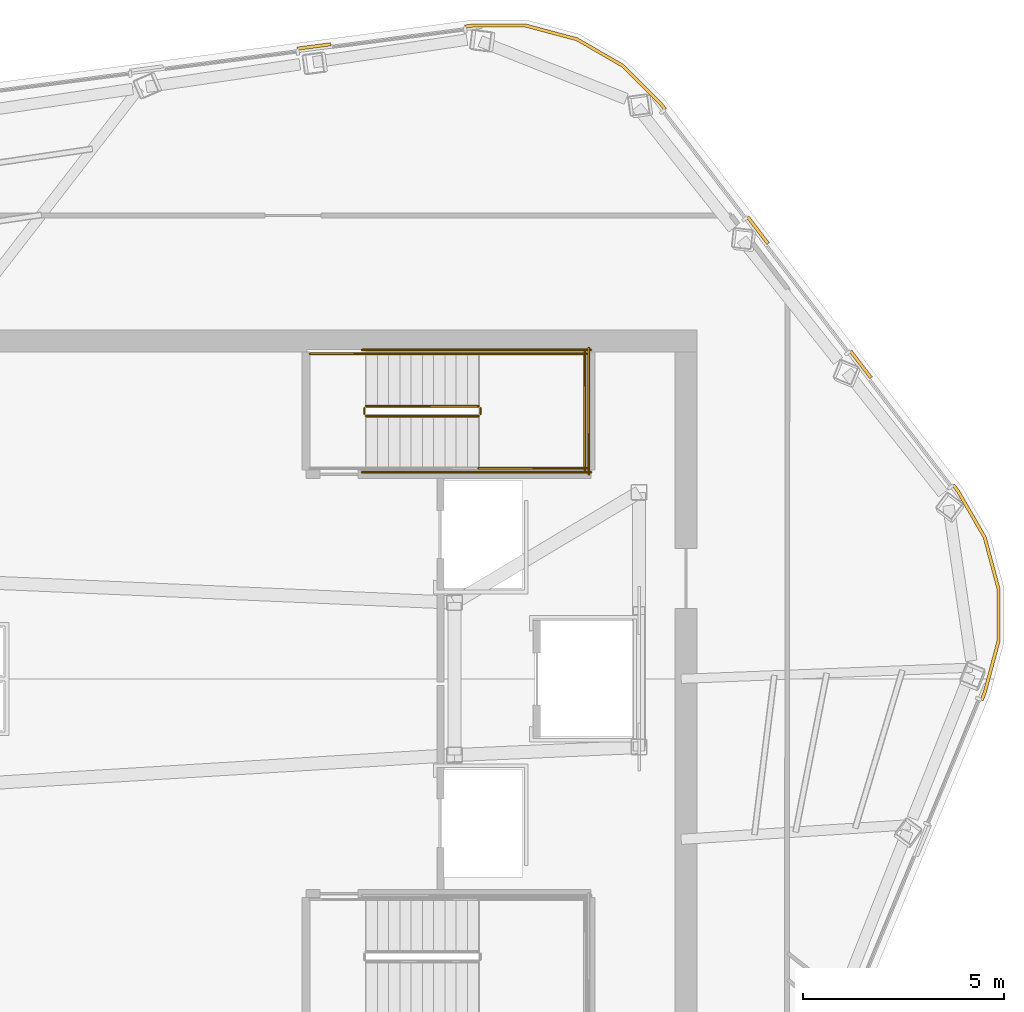
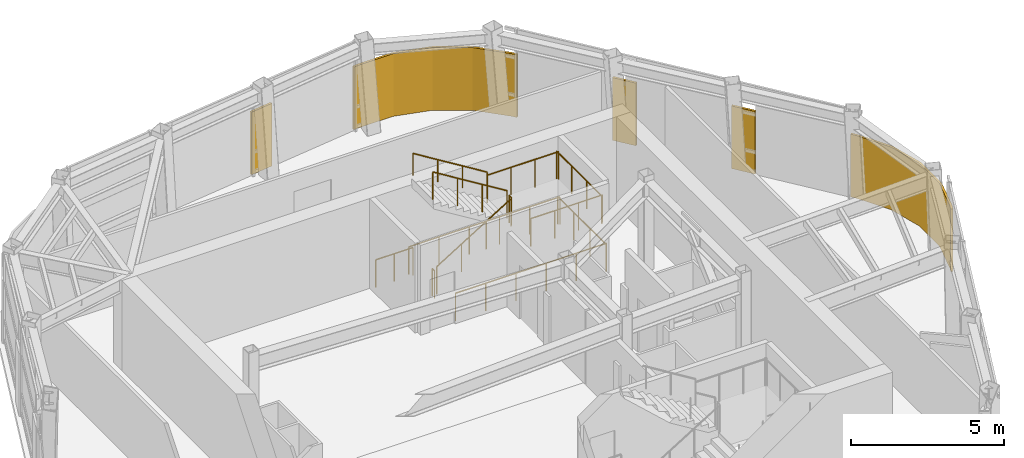
# One storey, part 9 of 9: 12 railings, 5 coverings.
"""IFC4 building model written with IfcOpenShell, lengths in metres."""

from ifc_helpers import new_model, si_unit, direction, frame, origin, origin_2d, place, context, subcontext, project, spatial, polyline, circle, outline, extrude, material, layer, layer_set, type_object, element, save


model = new_model("IFC4")

# Units and contexts
model_context = context("Model", 3, precision=1e-05, world=origin(), true_north=direction((0.0, 1.0)))
body_context = subcontext(model_context, "Body", "Model", "MODEL_VIEW")
ifc_project = project(units=[si_unit("LENGTHUNIT", "METRE"), si_unit("AREAUNIT", "SQUARE_METRE"), si_unit("VOLUMEUNIT", "CUBIC_METRE"), si_unit("PLANEANGLEUNIT", "RADIAN"), si_unit("MASSUNIT", "GRAM", prefix="KILO")], contexts=[model_context])

# Site, building, storey
site_placement = place(None, origin())
site = spatial("IfcSite", under=ifc_project, at=site_placement, CompositionType="ELEMENT")
building_placement = place(site_placement, origin())
building = spatial("IfcBuilding", under=site, at=building_placement, Name="Valkerne Bourse Tower", CompositionType="ELEMENT")
storey_placement = place(building_placement, frame((0.0, 0.0, 315.39990234375)))
storey = spatial("IfcBuildingStorey", under=building, at=storey_placement, Name="L80", CompositionType="ELEMENT", Elevation=315.39990234375)

# Coverings
ifc_material_1 = material(Name="Bronze Anodised Aluminium AA 6063-T6", Category="aluminium")
ifc_layer = layer(ifc_material_1, 0.06005859375)
ifc_layer_set = layer_set([ifc_layer], Name="Bronze Anodised Aluminium AA 6063-T6")
covering_type = type_object("IfcCoveringType", Name="COV-CRN-ALUM", PredefinedType="CLADDING", material=ifc_layer_set)
covering_1_placement = place(storey_placement, origin())
element("IfcCovering", 1, at=covering_1_placement, inside=storey, type_object=covering_type, Name="L80 Wind-Shaped Corner Aluminium Cladding 01", PredefinedType="CLADDING", context=body_context, shape_type="SweptSolid", body=[
    extrude(outline(polyline([(63.602294921875, 30.543212890625), (63.94677734375, 29.25732421875), (63.94677734375, 27.92626953125), (63.6005859375, 26.634033203125), (63.526611328125, 26.455810546875), (63.45263671875, 26.486328125), (63.524658203125, 26.659912109375), (63.86669921875, 27.936767578125), (63.86669921875, 29.246826171875), (63.527587890625, 30.51220703125), (62.86669921875, 31.6572265625), (62.752197265625, 31.806396484375), (62.815673828125, 31.85498046875), (62.933349609375, 31.70166015625), (63.602294921875, 30.543212890625)])), origin(), (0.0, 0.0, 1.0), 2.5),
])
covering_2_placement = place(storey_placement, origin())
element("IfcCovering", 2, at=covering_2_placement, inside=storey, type_object=covering_type, Name="L80 Wind-Shaped Corner Aluminium Cladding 15", PredefinedType="CLADDING", context=body_context, shape_type="SweptSolid", body=[
    extrude(outline(polyline([(47.260009765625, 42.857421875), (47.2705078125, 42.778076171875), (46.437744140625, 42.66845703125), (46.42724609375, 42.747802734375), (47.260009765625, 42.857421875)])), origin(), (0.0, 0.0, 1.0), 2.5),
])
covering_3_placement = place(storey_placement, origin())
element("IfcCovering", 3, at=covering_3_placement, inside=storey, type_object=covering_type, Name="L80 Wind-Shaped Corner Aluminium Cladding 16", PredefinedType="CLADDING", context=body_context, shape_type="SweptSolid", body=[
    extrude(outline(polyline([(50.794921875, 43.32275390625), (52.132568359375, 43.32275390625), (53.41845703125, 42.978271484375), (54.5712890625, 42.312744140625), (55.51708984375, 41.36669921875), (55.634765625, 41.21337890625), (55.5712890625, 41.164794921875), (55.456787109375, 41.31396484375), (54.522216796875, 42.248779296875), (53.387451171875, 42.90380859375), (52.1220703125, 43.24267578125), (50.800048828125, 43.24267578125), (50.61376953125, 43.21826171875), (50.603271484375, 43.297607421875), (50.794921875, 43.32275390625)])), origin(), (0.0, 0.0, 1.0), 2.5),
])
covering_4_placement = place(storey_placement, origin())
element("IfcCovering", 4, at=covering_4_placement, inside=storey, type_object=covering_type, Name="L80 Wind-Shaped Corner Aluminium Cladding 17", PredefinedType="CLADDING", context=body_context, shape_type="SweptSolid", body=[
    extrude(outline(polyline([(58.198974609375, 37.871826171875), (58.135498046875, 37.8232421875), (57.6240234375, 38.489501953125), (57.6875, 38.5380859375), (58.198974609375, 37.871826171875)])), origin(), (0.0, 0.0, 1.0), 2.5),
])
covering_5_placement = place(storey_placement, origin())
element("IfcCovering", 5, at=covering_5_placement, inside=storey, type_object=covering_type, Name="L80 Wind-Shaped Corner Aluminium Cladding 18", PredefinedType="CLADDING", context=body_context, shape_type="SweptSolid", body=[
    extrude(outline(polyline([(60.762939453125, 34.5302734375), (60.699462890625, 34.481689453125), (60.188232421875, 35.14794921875), (60.251708984375, 35.196533203125), (60.762939453125, 34.5302734375)])), origin(), (0.0, 0.0, 1.0), 2.5),
])

# Railings
ifc_material_2 = material(Name="Galvanised Painted Steel", Category="steel")
railing_type_1 = type_object("IfcRailingType", Name="RLG-ST-GUARD-1120", PredefinedType="GUARDRAIL", material=ifc_material_2)
railing_1_placement = place(storey_placement, frame((48.14990234375, 33.550048828125, 0.1728515625)))
element("IfcRailing", 6, at=railing_1_placement, inside=storey, type_object=railing_type_1, Name="L80 ST-2 stair guard 1", PredefinedType="GUARDRAIL", context=body_context, shape_type="SweptSolid", body=[
    extrude(circle(Radius=0.02392578125, at=origin_2d()), frame((0.0, 0.0, 1.09619140625), z_axis=(0.851089632645, 0.0, 0.525020415988), x_axis=(0.0, 1.0, 0.0)), (0.0, 0.0, 1.0), 3.2900390625),
    extrude(circle(Radius=0.02099609375, at=origin_2d()), origin(), (0.0, 0.0, 1.0), 1.072021484375),
    extrude(circle(Radius=0.02099609375, at=origin_2d()), frame((0.933349609375, 0.0, 0.57568359375)), (0.0, 0.0, 1.0), 1.072021484375),
    extrude(circle(Radius=0.02099609375, at=origin_2d()), frame((1.86669921875, 0.0, 1.151611328125)), (0.0, 0.0, 1.0), 1.072021484375),
    extrude(circle(Radius=0.02099609375, at=origin_2d()), frame((2.800048828125, 0.0, 1.727294921875)), (0.0, 0.0, 1.0), 1.072021484375),
])
railing_2_placement = place(storey_placement, frame((51.0, 33.60009765625, 1.900146484375)))
element("IfcRailing", 7, at=railing_2_placement, inside=storey, type_object=railing_type_1, Name="L80 ST-2 stair guard 2", PredefinedType="GUARDRAIL", context=body_context, shape_type="SweptSolid", body=[
    extrude(circle(Radius=0.02392578125, at=origin_2d()), frame((0.0, 0.0, 1.09619140625), z_axis=(0.0, 1.0, 0.0), x_axis=(-1.0, 0.0, 0.0)), (0.0, 0.0, 1.0), 0.14990234375),
    extrude(circle(Radius=0.02099609375, at=origin_2d()), origin(), (0.0, 0.0, 1.0), 1.072021484375),
    extrude(circle(Radius=0.02099609375, at=origin_2d()), frame((0.0, 0.14990234375, 0.0)), (0.0, 0.0, 1.0), 1.072021484375),
])
for number, where, name in (
    (8, (50.949951171875, 32.25, 1.900146484375), "L80 ST-2 stair guard 3"),
    (9, (50.949951171875, 35.10009765625, 1.900146484375), "L80 ST-2 stair guard 4"),
):
    element("IfcRailing", number, at=place(storey_placement, frame(where)), inside=storey, type_object=railing_type_1, Name=name, PredefinedType="GUARDRAIL", context=body_context, shape_type="SweptSolid", body=[
        extrude(circle(Radius=0.02392578125, at=origin_2d()), frame((0.0, 0.0, 1.09619140625), z_axis=(1.0, 0.0, 0.0), x_axis=(0.0, 1.0, 0.0)), (0.0, 0.0, 1.0), 2.699951171875),
        extrude(circle(Radius=0.02099609375, at=origin_2d()), origin(), (0.0, 0.0, 1.0), 1.072021484375),
        extrude(circle(Radius=0.02099609375, at=origin_2d()), frame((0.89990234375, 0.0, 0.0)), (0.0, 0.0, 1.0), 1.072021484375),
        extrude(circle(Radius=0.02099609375, at=origin_2d()), frame((1.800048828125, 0.0, 0.0)), (0.0, 0.0, 1.0), 1.072021484375),
        extrude(circle(Radius=0.02099609375, at=origin_2d()), frame((2.699951171875, 0.0, 0.0)), (0.0, 0.0, 1.0), 1.072021484375),
    ])
railing_3_placement = place(storey_placement, frame((53.60009765625, 32.199951171875, 1.900146484375)))
element("IfcRailing", 10, at=railing_3_placement, inside=storey, type_object=railing_type_1, Name="L80 ST-2 stair guard 5", PredefinedType="GUARDRAIL", context=body_context, shape_type="SweptSolid", body=[
    extrude(circle(Radius=0.02392578125, at=origin_2d()), frame((0.0, 0.0, 1.09619140625), z_axis=(0.0, 1.0, 0.0), x_axis=(-1.0, 0.0, 0.0)), (0.0, 0.0, 1.0), 2.949951171875),
    extrude(circle(Radius=0.02099609375, at=origin_2d()), origin(), (0.0, 0.0, 1.0), 1.072021484375),
    extrude(circle(Radius=0.02099609375, at=origin_2d()), frame((0.0, 0.9833984375, 0.0)), (0.0, 0.0, 1.0), 1.072021484375),
    extrude(circle(Radius=0.02099609375, at=origin_2d()), frame((0.0, 1.966552734375, 0.0)), (0.0, 0.0, 1.0), 1.072021484375),
    extrude(circle(Radius=0.02099609375, at=origin_2d()), frame((0.0, 2.949951171875, 0.0)), (0.0, 0.0, 1.0), 1.072021484375),
])
railing_4_placement = place(storey_placement, frame((50.949951171875, 33.800048828125, 2.07275390625)))
element("IfcRailing", 11, at=railing_4_placement, inside=storey, type_object=railing_type_1, Name="L80 ST-2 stair guard 6", PredefinedType="GUARDRAIL", context=body_context, shape_type="SweptSolid", body=[
    extrude(circle(Radius=0.02392578125, at=origin_2d()), frame((0.0, 0.0, 1.09619140625), z_axis=(-0.851089632645, 0.0, 0.525020415988), x_axis=(0.0, -1.0, 0.0)), (0.0, 0.0, 1.0), 3.2900390625),
    extrude(circle(Radius=0.02099609375, at=origin_2d()), origin(), (0.0, 0.0, 1.0), 1.072021484375),
    extrude(circle(Radius=0.02099609375, at=origin_2d()), frame((-0.933349609375, 0.0, 0.57568359375)), (0.0, 0.0, 1.0), 1.072021484375),
    extrude(circle(Radius=0.02099609375, at=origin_2d()), frame((-1.86669921875, 0.0, 1.151611328125)), (0.0, 0.0, 1.0), 1.072021484375),
    extrude(circle(Radius=0.02099609375, at=origin_2d()), frame((-2.800048828125, 0.0, 1.727294921875)), (0.0, 0.0, 1.0), 1.072021484375),
])
railing_5_placement = place(storey_placement, frame((48.10009765625, 33.60009765625, 0.0)))
element("IfcRailing", 12, at=railing_5_placement, inside=storey, type_object=railing_type_1, Name="L80 ST-2 stair guard 7", PredefinedType="GUARDRAIL", context=body_context, shape_type="SweptSolid", body=[
    extrude(circle(Radius=0.02392578125, at=origin_2d()), frame((0.0, 0.0, 1.09619140625), z_axis=(0.0, 1.0, 0.0), x_axis=(-1.0, 0.0, 0.0)), (0.0, 0.0, 1.0), 0.14990234375),
    extrude(circle(Radius=0.02099609375, at=origin_2d()), origin(), (0.0, 0.0, 1.0), 1.072021484375),
    extrude(circle(Radius=0.02099609375, at=origin_2d()), frame((0.0, 0.14990234375, 0.0)), (0.0, 0.0, 1.0), 1.072021484375),
])
railing_6_placement = place(storey_placement, frame((46.75, 35.10009765625, 0.0)))
element("IfcRailing", 13, at=railing_6_placement, inside=storey, type_object=railing_type_1, Name="L80 ST-2 stair guard 9", PredefinedType="GUARDRAIL", context=body_context, shape_type="SweptSolid", body=[
    extrude(circle(Radius=0.02392578125, at=origin_2d()), frame((0.0, 0.0, 1.09619140625), z_axis=(1.0, 0.0, 0.0), x_axis=(0.0, 1.0, 0.0)), (0.0, 0.0, 1.0), 1.39990234375),
    extrude(circle(Radius=0.02099609375, at=origin_2d()), origin(), (0.0, 0.0, 1.0), 1.072021484375),
    extrude(circle(Radius=0.02099609375, at=origin_2d()), frame((0.699951171875, 0.0, 0.0)), (0.0, 0.0, 1.0), 1.072021484375),
    extrude(circle(Radius=0.02099609375, at=origin_2d()), frame((1.39990234375, 0.0, 0.0)), (0.0, 0.0, 1.0), 1.072021484375),
])
for number, where, name in (
    (14, (48.050048828125, 32.14990234375, 0.0), "L80 ST-2 stair guard 10"),
    (15, (48.050048828125, 35.199951171875, 0.0), "L80 ST-2 stair guard 11"),
):
    element("IfcRailing", number, at=place(storey_placement, frame(where)), inside=storey, type_object=railing_type_1, Name=name, PredefinedType="GUARDRAIL", context=body_context, shape_type="SweptSolid", body=[
        extrude(circle(Radius=0.02392578125, at=origin_2d()), frame((0.0, 0.0, 1.09619140625), z_axis=(1.0, 0.0, 0.0), x_axis=(0.0, 1.0, 0.0)), (0.0, 0.0, 1.0), 5.699951171875),
        extrude(circle(Radius=0.02099609375, at=origin_2d()), origin(), (0.0, 0.0, 1.0), 1.072021484375),
        extrude(circle(Radius=0.02099609375, at=origin_2d()), frame((1.139892578125, 0.0, 0.0)), (0.0, 0.0, 1.0), 1.072021484375),
        extrude(circle(Radius=0.02099609375, at=origin_2d()), frame((2.280029296875, 0.0, 0.0)), (0.0, 0.0, 1.0), 1.072021484375),
        extrude(circle(Radius=0.02099609375, at=origin_2d()), frame((3.419921875, 0.0, 0.0)), (0.0, 0.0, 1.0), 1.072021484375),
        extrude(circle(Radius=0.02099609375, at=origin_2d()), frame((4.56005859375, 0.0, 0.0)), (0.0, 0.0, 1.0), 1.072021484375),
        extrude(circle(Radius=0.02099609375, at=origin_2d()), frame((5.699951171875, 0.0, 0.0)), (0.0, 0.0, 1.0), 1.072021484375),
    ])
railing_7_placement = place(storey_placement, frame((53.699951171875, 32.10009765625, 0.0)))
element("IfcRailing", 16, at=railing_7_placement, inside=storey, type_object=railing_type_1, Name="L80 ST-2 stair guard 12", PredefinedType="GUARDRAIL", context=body_context, shape_type="SweptSolid", body=[
    extrude(circle(Radius=0.02392578125, at=origin_2d()), frame((0.0, 0.0, 1.09619140625), z_axis=(0.0, 1.0, 0.0), x_axis=(-1.0, 0.0, 0.0)), (0.0, 0.0, 1.0), 3.14990234375),
    extrude(circle(Radius=0.02099609375, at=origin_2d()), origin(), (0.0, 0.0, 1.0), 1.072021484375),
    extrude(circle(Radius=0.02099609375, at=origin_2d()), frame((0.0, 1.050048828125, 0.0)), (0.0, 0.0, 1.0), 1.072021484375),
    extrude(circle(Radius=0.02099609375, at=origin_2d()), frame((0.0, 2.099853515625, 0.0)), (0.0, 0.0, 1.0), 1.072021484375),
    extrude(circle(Radius=0.02099609375, at=origin_2d()), frame((0.0, 3.14990234375, 0.0)), (0.0, 0.0, 1.0), 1.072021484375),
])
ifc_material_3 = material(Name="Stainless Steel AISI 316", Category="steel")
railing_type_2 = type_object("IfcRailingType", Name="RLG-ST-HANDRAIL-900", PredefinedType="HANDRAIL", material=ifc_material_3)
railing_8_placement = place(storey_placement, frame((50.949951171875, 35.10009765625, 2.24560546875)))
element("IfcRailing", 17, at=railing_8_placement, inside=storey, type_object=railing_type_2, Name="L80 ST-2 stair handrail 2", PredefinedType="HANDRAIL", context=body_context, shape_type="SweptSolid", body=[
    extrude(circle(Radius=0.02392578125, at=origin_2d()), frame((0.0, 0.0, 0.8759765625), z_axis=(-0.851089632645, 0.0, 0.525020415988), x_axis=(0.0, -1.0, 0.0)), (0.0, 0.0, 1.0), 3.2900390625),
    extrude(circle(Radius=0.02099609375, at=origin_2d()), origin(), (0.0, 0.0, 1.0), 0.851806640625),
    extrude(circle(Radius=0.02099609375, at=origin_2d()), frame((-0.933349609375, 0.0, 0.57568359375)), (0.0, 0.0, 1.0), 0.851806640625),
    extrude(circle(Radius=0.02099609375, at=origin_2d()), frame((-1.86669921875, 0.0, 1.151611328125)), (0.0, 0.0, 1.0), 0.851806640625),
    extrude(circle(Radius=0.02099609375, at=origin_2d()), frame((-2.800048828125, 0.0, 1.727294921875)), (0.0, 0.0, 1.0), 0.851806640625),
])

save(model, "model.ifc")
